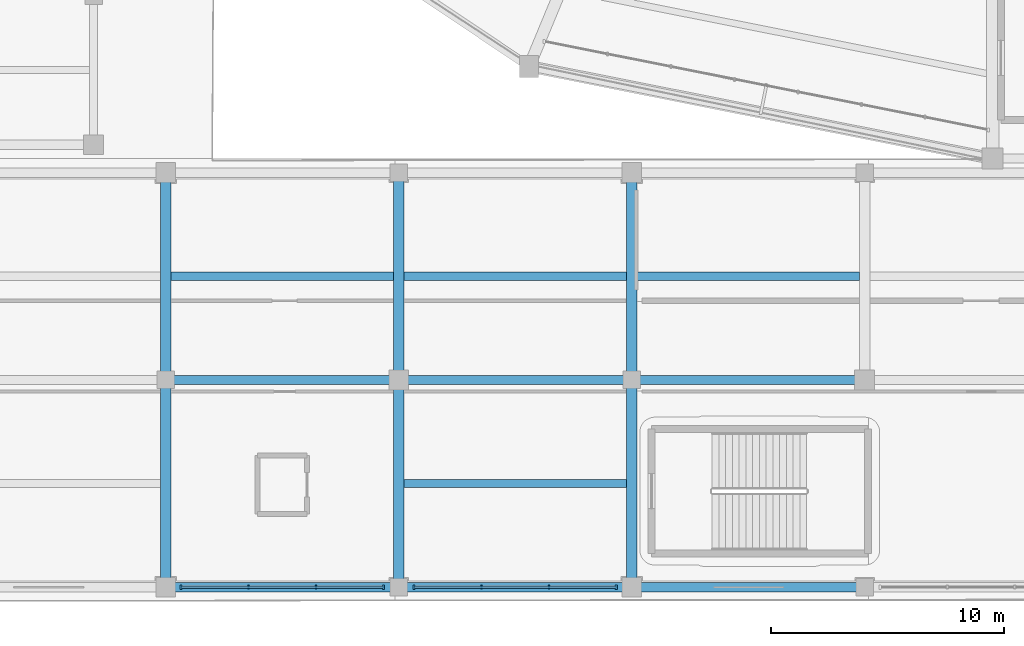
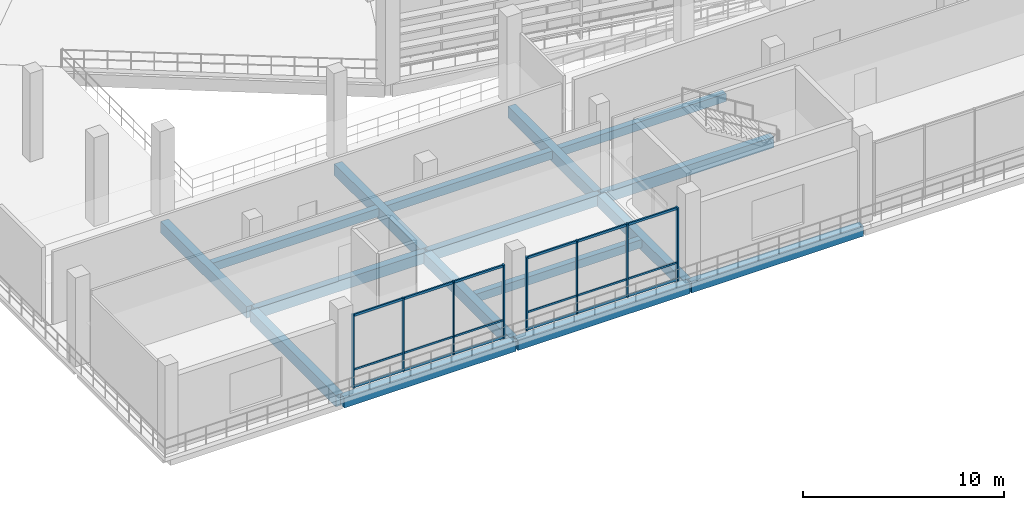
# One storey, part 13 of 114: 16 beams, 14 members, 2 elements without a shape of their own.
"""IFC4 building model written with IfcOpenShell, lengths in metres."""

from ifc_helpers import new_model, si_unit, direction, frame, origin, origin_2d, place, context, subcontext, project, spatial, rectangle, extrude, material, material_profile, profile_set, type_object, element, aggregate, save


model = new_model("IFC4")

# Units and contexts
model_context = context("Model", 3, precision=1e-05, world=origin(), true_north=direction((0.0, 1.0)))
body_context = subcontext(model_context, "Body", "Model", "MODEL_VIEW")
ifc_project = project(units=[si_unit("LENGTHUNIT", "METRE"), si_unit("AREAUNIT", "SQUARE_METRE"), si_unit("VOLUMEUNIT", "CUBIC_METRE"), si_unit("PLANEANGLEUNIT", "RADIAN"), si_unit("MASSUNIT", "GRAM", prefix="KILO")], contexts=[model_context])

# Site, building, storey
site_placement = place(None, origin())
site = spatial("IfcSite", under=ifc_project, at=site_placement, CompositionType="ELEMENT")
building_placement = place(site_placement, origin())
building = spatial("IfcBuilding", under=site, at=building_placement, Name="Candeia Ridge Stadium", CompositionType="ELEMENT")
storey_placement = place(building_placement, frame((0.0, 0.0, 5.39990234375)))
storey = spatial("IfcBuildingStorey", under=building, at=storey_placement, Name="L01", CompositionType="ELEMENT", Elevation=5.39990234375)

# Curtain wall, members
ifc_material_1 = material(Name="Aluminium Anodized Warm Bronze", Category="aluminium")
curtain_wall_type = type_object("IfcCurtainWallType", Name="Museum & Boulevard Showcase Curtain Wall", PredefinedType="NOTDEFINED", material=ifc_material_1)
curtain_wall_1_placement = place(storey_placement, origin())
curtain_wall_1 = element("IfcCurtainWall", 1, at=curtain_wall_1_placement, inside=storey, type_object=curtain_wall_type, Name="Unitised curtain wall CW-WNG-L01-111", PredefinedType="NOTDEFINED")
ifc_material_profile_1 = material_profile(ifc_material_1, rectangle(XDim=0.090087890625, YDim=0.179931640625, at=origin_2d()), Name="CWM-90x180", Category="aluminium")
ifc_profile_set_1 = profile_set([ifc_material_profile_1], Name="Aluminium Anodized Warm Bronze")
member_type_1 = type_object("IfcMemberType", Name="Curtain Wall Primary Mullion 90x180", PredefinedType="MULLION", material=ifc_profile_set_1)
member_1_placement = place(storey_placement, frame((36.159912109375, 0.60009765625, 0.0), z_axis=(0.0, 0.0, 1.0), x_axis=(1.0, 0.0, 0.0)))
member_1 = element("IfcMember", 2, at=member_1_placement, type_object=member_type_1, Name="Curtain wall mullion CW-WNG-L01-111-M0", PredefinedType="MULLION", context=body_context, shape_type="SweptSolid", body=[
    extrude(rectangle(XDim=0.090087890625, YDim=0.179931640625, at=origin_2d()), origin(), (0.0, 0.0, 1.0), 4.47509765625),
])
member_2_placement = place(storey_placement, frame((44.840087890625, 0.60009765625, 0.0), z_axis=(0.0, 0.0, 1.0), x_axis=(1.0, 0.0, 0.0)))
member_2 = element("IfcMember", 3, at=member_2_placement, type_object=member_type_1, Name="Curtain wall mullion CW-WNG-L01-111-M3", PredefinedType="MULLION", context=body_context, shape_type="SweptSolid", body=[
    extrude(rectangle(XDim=0.090087890625, YDim=0.179931640625, at=origin_2d()), origin(), (0.0, 0.0, 1.0), 4.47509765625),
])

curtain_wall_2_placement = place(storey_placement, origin())
curtain_wall_2 = element("IfcCurtainWall", 4, at=curtain_wall_2_placement, inside=storey, type_object=curtain_wall_type, Name="Unitised curtain wall CW-WNG-L01-112", PredefinedType="NOTDEFINED")
member_3_placement = place(storey_placement, frame((46.159912109375, 0.60009765625, 0.0), z_axis=(0.0, 0.0, 1.0), x_axis=(1.0, 0.0, 0.0)))
member_3 = element("IfcMember", 5, at=member_3_placement, type_object=member_type_1, Name="Curtain wall mullion CW-WNG-L01-112-M0", PredefinedType="MULLION", context=body_context, shape_type="SweptSolid", body=[
    extrude(rectangle(XDim=0.090087890625, YDim=0.179931640625, at=origin_2d()), origin(), (0.0, 0.0, 1.0), 4.47509765625),
])
member_4_placement = place(storey_placement, frame((54.840087890625, 0.60009765625, 0.0), z_axis=(0.0, 0.0, 1.0), x_axis=(1.0, 0.0, 0.0)))
member_4 = element("IfcMember", 6, at=member_4_placement, type_object=member_type_1, Name="Curtain wall mullion CW-WNG-L01-112-M3", PredefinedType="MULLION", context=body_context, shape_type="SweptSolid", body=[
    extrude(rectangle(XDim=0.090087890625, YDim=0.179931640625, at=origin_2d()), origin(), (0.0, 0.0, 1.0), 4.47509765625),
])

# Member
ifc_material_profile_2 = material_profile(ifc_material_1, rectangle(XDim=0.074951171875, YDim=0.14990234375, at=origin_2d()), Name="CWM-75x150", Category="aluminium")
ifc_profile_set_2 = profile_set([ifc_material_profile_2], Name="Aluminium Anodized Warm Bronze")
member_type_2 = type_object("IfcMemberType", Name="Curtain Wall Secondary Mullion 75x150", PredefinedType="MULLION", material=ifc_profile_set_2)
member_5_placement = place(storey_placement, frame((39.05322265625, 0.60009765625, 0.0), z_axis=(0.0, 0.0, 1.0), x_axis=(1.0, 0.0, 0.0)))
member_5 = element("IfcMember", 7, at=member_5_placement, type_object=member_type_2, Name="Curtain wall mullion CW-WNG-L01-111-M1", PredefinedType="MULLION", context=body_context, shape_type="SweptSolid", body=[
    extrude(rectangle(XDim=0.074951171875, YDim=0.14990234375, at=origin_2d()), origin(), (0.0, 0.0, 1.0), 4.47509765625),
])

member_6_placement = place(storey_placement, frame((41.94677734375, 0.60009765625, 0.0), z_axis=(0.0, 0.0, 1.0), x_axis=(1.0, 0.0, 0.0)))
member_6 = element("IfcMember", 8, at=member_6_placement, type_object=member_type_2, Name="Curtain wall mullion CW-WNG-L01-111-M2", PredefinedType="MULLION", context=body_context, shape_type="SweptSolid", body=[
    extrude(rectangle(XDim=0.074951171875, YDim=0.14990234375, at=origin_2d()), origin(), (0.0, 0.0, 1.0), 4.47509765625),
])

member_7_placement = place(storey_placement, frame((49.05322265625, 0.60009765625, 0.0), z_axis=(0.0, 0.0, 1.0), x_axis=(1.0, 0.0, 0.0)))
member_7 = element("IfcMember", 9, at=member_7_placement, type_object=member_type_2, Name="Curtain wall mullion CW-WNG-L01-112-M1", PredefinedType="MULLION", context=body_context, shape_type="SweptSolid", body=[
    extrude(rectangle(XDim=0.074951171875, YDim=0.14990234375, at=origin_2d()), origin(), (0.0, 0.0, 1.0), 4.47509765625),
])

member_8_placement = place(storey_placement, frame((51.94677734375, 0.60009765625, 0.0), z_axis=(0.0, 0.0, 1.0), x_axis=(1.0, 0.0, 0.0)))
member_8 = element("IfcMember", 10, at=member_8_placement, type_object=member_type_2, Name="Curtain wall mullion CW-WNG-L01-112-M2", PredefinedType="MULLION", context=body_context, shape_type="SweptSolid", body=[
    extrude(rectangle(XDim=0.074951171875, YDim=0.14990234375, at=origin_2d()), origin(), (0.0, 0.0, 1.0), 4.47509765625),
])

ifc_material_profile_3 = material_profile(ifc_material_1, rectangle(XDim=0.074951171875, YDim=0.110107421875, at=origin_2d()), Name="CWT-75x110", Category="aluminium")
ifc_profile_set_3 = profile_set([ifc_material_profile_3], Name="Aluminium Anodized Warm Bronze")
member_type_3 = type_object("IfcMemberType", Name="Curtain Wall Secondary Transom 75x110", PredefinedType="USERDEFINED", material=ifc_profile_set_3)
member_9_placement = place(storey_placement, frame((36.159912109375, 0.60009765625, 1.10009765625), z_axis=(1.0, 0.0, 0.0), x_axis=(0.0, 1.0, 0.0)))
member_9 = element("IfcMember", 11, at=member_9_placement, type_object=member_type_3, Name="Curtain wall transom CW-WNG-L01-111-T1", ObjectType="TRANSOM", PredefinedType="USERDEFINED", context=body_context, shape_type="SweptSolid", body=[
    extrude(rectangle(XDim=0.074951171875, YDim=0.110107421875, at=origin_2d()), origin(), (0.0, 0.0, 1.0), 8.68017578125),
])

member_10_placement = place(storey_placement, frame((46.159912109375, 0.60009765625, 1.10009765625), z_axis=(1.0, 0.0, 0.0), x_axis=(0.0, 1.0, 0.0)))
member_10 = element("IfcMember", 12, at=member_10_placement, type_object=member_type_3, Name="Curtain wall transom CW-WNG-L01-112-T1", ObjectType="TRANSOM", PredefinedType="USERDEFINED", context=body_context, shape_type="SweptSolid", body=[
    extrude(rectangle(XDim=0.074951171875, YDim=0.110107421875, at=origin_2d()), origin(), (0.0, 0.0, 1.0), 8.68017578125),
])

ifc_material_profile_4 = material_profile(ifc_material_1, rectangle(XDim=0.090087890625, YDim=0.139892578125, at=origin_2d()), Name="CWT-90x140", Category="aluminium")
ifc_profile_set_4 = profile_set([ifc_material_profile_4], Name="Aluminium Anodized Warm Bronze")
member_type_4 = type_object("IfcMemberType", Name="Curtain Wall Transom 90x140", PredefinedType="USERDEFINED", material=ifc_profile_set_4)
member_11_placement = place(storey_placement, frame((36.159912109375, 0.60009765625, 0.070068359375), z_axis=(1.0, 0.0, 0.0), x_axis=(0.0, 1.0, 0.0)))
member_11 = element("IfcMember", 13, at=member_11_placement, type_object=member_type_4, Name="Curtain wall transom CW-WNG-L01-111-T0", ObjectType="TRANSOM", PredefinedType="USERDEFINED", context=body_context, shape_type="SweptSolid", body=[
    extrude(rectangle(XDim=0.090087890625, YDim=0.139892578125, at=origin_2d()), origin(), (0.0, 0.0, 1.0), 8.68017578125),
])

member_12_placement = place(storey_placement, frame((36.159912109375, 0.60009765625, 4.405029296875), z_axis=(1.0, 0.0, 0.0), x_axis=(0.0, 1.0, 0.0)))
member_12 = element("IfcMember", 14, at=member_12_placement, type_object=member_type_4, Name="Curtain wall transom CW-WNG-L01-111-T2", ObjectType="TRANSOM", PredefinedType="USERDEFINED", context=body_context, shape_type="SweptSolid", body=[
    extrude(rectangle(XDim=0.090087890625, YDim=0.139892578125, at=origin_2d()), origin(), (0.0, 0.0, 1.0), 8.68017578125),
])

aggregate(curtain_wall_1, [member_1, member_5, member_6, member_2, member_11, member_9, member_12])

member_13_placement = place(storey_placement, frame((46.159912109375, 0.60009765625, 0.070068359375), z_axis=(1.0, 0.0, 0.0), x_axis=(0.0, 1.0, 0.0)))
member_13 = element("IfcMember", 15, at=member_13_placement, type_object=member_type_4, Name="Curtain wall transom CW-WNG-L01-112-T0", ObjectType="TRANSOM", PredefinedType="USERDEFINED", context=body_context, shape_type="SweptSolid", body=[
    extrude(rectangle(XDim=0.090087890625, YDim=0.139892578125, at=origin_2d()), origin(), (0.0, 0.0, 1.0), 8.68017578125),
])

member_14_placement = place(storey_placement, frame((46.159912109375, 0.60009765625, 4.405029296875), z_axis=(1.0, 0.0, 0.0), x_axis=(0.0, 1.0, 0.0)))
member_14 = element("IfcMember", 16, at=member_14_placement, type_object=member_type_4, Name="Curtain wall transom CW-WNG-L01-112-T2", ObjectType="TRANSOM", PredefinedType="USERDEFINED", context=body_context, shape_type="SweptSolid", body=[
    extrude(rectangle(XDim=0.090087890625, YDim=0.139892578125, at=origin_2d()), origin(), (0.0, 0.0, 1.0), 8.68017578125),
])

aggregate(curtain_wall_2, [member_3, member_7, member_8, member_4, member_13, member_10, member_14])

# Beams
ifc_material_2 = material(Name="Concrete C40/50", Category="concrete")
ifc_material_profile_5 = material_profile(ifc_material_2, rectangle(XDim=0.35009765625, YDim=0.5, at=origin_2d()), Name="RC350x500", Category="concrete")
ifc_profile_set_5 = profile_set([ifc_material_profile_5], Name="Concrete C40/50")
beam_type_1 = type_object("IfcBeamType", Name="Floor Joist RC350x500", PredefinedType="JOIST", material=ifc_profile_set_5)
for number, where, z_axis, x_axis, name in (
    (17, (35.724609375, 13.949951171875, -0.510009765625), (1.0, 0.0, 0.0), (0.0, 1.0, 0.0), "Wing secondary joist BM-L01-1958"),
    (18, (45.724609375, 5.050048828125, -0.510009765625), (1.0, 0.0, 0.0), (0.0, 1.0, 0.0), "Wing secondary joist BM-L01-1961"),
    (19, (45.724609375, 13.949951171875, -0.510009765625), (1.0, 0.0, 0.0), (0.0, 1.0, 0.0), "Wing secondary joist BM-L01-1963"),
    (20, (55.724609375, 13.949951171875, -0.510009765625), (1.0, 0.0, 0.0), (0.0, 1.0, 0.0), "Wing secondary joist BM-L01-1967"),
):
    element("IfcBeam", number, at=place(storey_placement, frame(where, z_axis=z_axis, x_axis=x_axis)), inside=storey, type_object=beam_type_1, Name=name, PredefinedType="JOIST", context=body_context, shape_type="SweptSolid", body=[
        extrude(rectangle(XDim=0.35009765625, YDim=0.5, at=origin_2d()), origin(), (0.0, 0.0, 1.0), 9.55078125),
    ])
ifc_material_profile_6 = material_profile(ifc_material_2, rectangle(XDim=0.449951171875, YDim=0.699951171875, at=origin_2d()), Name="RC450x700", Category="concrete")
ifc_profile_set_6 = profile_set([ifc_material_profile_6], Name="Concrete C40/50")
beam_type_2 = type_object("IfcBeamType", Name="Frame Girder RC450x700", PredefinedType="BEAM", material=ifc_profile_set_6)
for number, where, z_axis, x_axis, name in (
    (21, (35.5, 0.760009765625, -0.60986328125), (0.0, 1.0, 0.0), (-1.0, 0.0, 0.0), "Structural girder BM-L01-1940"),
    (22, (35.5, 9.659912109375, -0.60986328125), (0.0, 1.0, 0.0), (-1.0, 0.0, 0.0), "Structural girder BM-L01-1941"),
    (23, (45.5, 0.760009765625, -0.60986328125), (0.0, 1.0, 0.0), (-1.0, 0.0, 0.0), "Structural girder BM-L01-1942"),
    (24, (45.5, 9.659912109375, -0.60986328125), (0.0, 1.0, 0.0), (-1.0, 0.0, 0.0), "Structural girder BM-L01-1943"),
    (25, (55.5, 0.760009765625, -0.60986328125), (0.0, 1.0, 0.0), (-1.0, 0.0, 0.0), "Structural girder BM-L01-1944"),
    (26, (55.5, 9.659912109375, -0.60986328125), (0.0, 1.0, 0.0), (-1.0, 0.0, 0.0), "Structural girder BM-L01-1945"),
):
    element("IfcBeam", number, at=place(storey_placement, frame(where, z_axis=z_axis, x_axis=x_axis)), inside=storey, type_object=beam_type_2, Name=name, PredefinedType="BEAM", context=body_context, shape_type="SweptSolid", body=[
        extrude(rectangle(XDim=0.449951171875, YDim=0.699951171875, at=origin_2d()), origin(), (0.0, 0.0, 1.0), 8.580078125),
    ])
ifc_material_profile_7 = material_profile(ifc_material_2, rectangle(XDim=0.39990234375, YDim=0.64990234375, at=origin_2d()), Name="RC400x650", Category="concrete")
ifc_profile_set_7 = profile_set([ifc_material_profile_7], Name="Concrete C40/50")
beam_type_3 = type_object("IfcBeamType", Name="Wing Primary Girder RC400x650", PredefinedType="BEAM", material=ifc_profile_set_7)
for number, where, z_axis, x_axis, name in (
    (27, (35.550048828125, 0.60009765625, -0.5849609375), (1.0, 0.0, 0.0), (0.0, 1.0, 0.0), "Structural girder BM-L01-1956"),
    (28, (35.550048828125, 9.5, -0.5849609375), (1.0, 0.0, 0.0), (0.0, 1.0, 0.0), "Structural girder BM-L01-1957"),
    (29, (45.550048828125, 0.60009765625, -0.5849609375), (1.0, 0.0, 0.0), (0.0, 1.0, 0.0), "Structural girder BM-L01-1960"),
    (30, (45.550048828125, 9.5, -0.5849609375), (1.0, 0.0, 0.0), (0.0, 1.0, 0.0), "Structural girder BM-L01-1962"),
    (31, (55.550048828125, 0.60009765625, -0.5849609375), (1.0, 0.0, 0.0), (0.0, 1.0, 0.0), "Structural girder BM-L01-1965"),
    (32, (55.550048828125, 9.5, -0.5849609375), (1.0, 0.0, 0.0), (0.0, 1.0, 0.0), "Structural girder BM-L01-1966"),
):
    element("IfcBeam", number, at=place(storey_placement, frame(where, z_axis=z_axis, x_axis=x_axis)), inside=storey, type_object=beam_type_3, Name=name, PredefinedType="BEAM", context=body_context, shape_type="SweptSolid", body=[
        extrude(rectangle(XDim=0.39990234375, YDim=0.64990234375, at=origin_2d()), origin(), (0.0, 0.0, 1.0), 9.89990234375),
    ])

save(model, "model.ifc")
